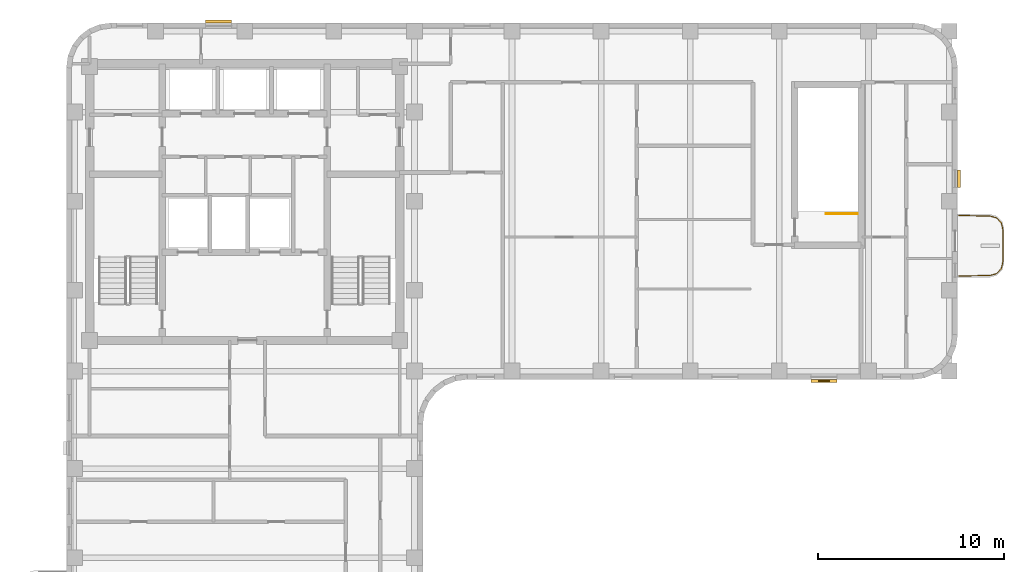
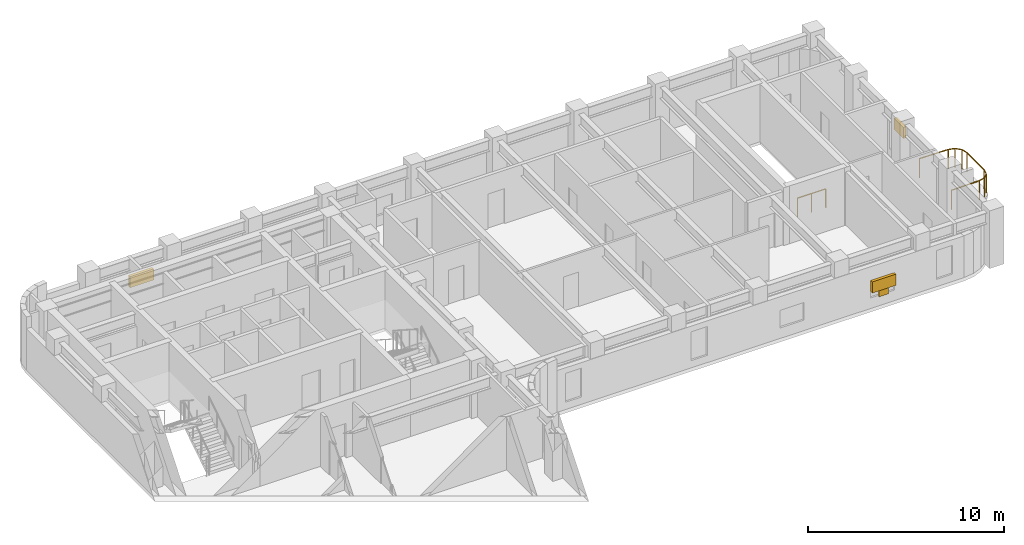
# One storey, part 8 of 8: 4 shading devices, 2 railings.
"""IFC4 building model written with IfcOpenShell, lengths in metres."""

from ifc_helpers import new_model, si_unit, direction, frame, origin, origin_2d, place, context, subcontext, project, spatial, rectangle, extrude, material, type_object, element, save


model = new_model("IFC4")

# Units and contexts
model_context = context("Model", 3, precision=1e-05, world=origin(), true_north=direction((0.0, 1.0)))
body_context = subcontext(model_context, "Body", "Model", "MODEL_VIEW")
ifc_project = project(units=[si_unit("LENGTHUNIT", "METRE"), si_unit("AREAUNIT", "SQUARE_METRE"), si_unit("VOLUMEUNIT", "CUBIC_METRE"), si_unit("PLANEANGLEUNIT", "RADIAN"), si_unit("MASSUNIT", "GRAM", prefix="KILO")], contexts=[model_context])

# Site, building, storey
site_placement = place(None, origin())
site = spatial("IfcSite", under=ifc_project, at=site_placement, CompositionType="ELEMENT")
building_placement = place(site_placement, origin())
building = spatial("IfcBuilding", under=site, at=building_placement, Name="Orvandelia Arch Residences", CompositionType="ELEMENT")
storey_placement = place(building_placement, frame((0.0, 0.0, 236.199951171875)))
storey = spatial("IfcBuildingStorey", under=building, at=storey_placement, Name="L62", CompositionType="ELEMENT", Elevation=236.199951171875)

# Railings
ifc_material_1 = material(Name="Marine-Grade Stainless Steel 316", Category="steel")
railing_type_1 = type_object("IfcRailingType", Name="GRD-BAL-1200", PredefinedType="BALUSTRADE", material=ifc_material_1)
railing_1_placement = place(storey_placement, frame((52.871826171875, 34.36962890625, 0.0)))
element("IfcRailing", 1, at=railing_1_placement, inside=storey, type_object=railing_type_1, Name="Safety Balustrade Guard GRD-L62-BAL-L62-E1-1", PredefinedType="BALUSTRADE", context=body_context, shape_type="SweptSolid", body=[
    extrude(rectangle(XDim=0.048095703125, YDim=0.048095703125, at=origin_2d()), frame((0.0, 0.0, 1.19580078125), z_axis=(0.999837384468, 0.018033430643, 0.0), x_axis=(-0.018033430643, 0.999837384468, 0.0)), (0.0, 0.0, 1.0), 1.6787109375),
    extrude(rectangle(XDim=0.048095703125, YDim=0.048095703125, at=origin_2d()), frame((1.678466796875, 0.0302734375, 1.19580078125), z_axis=(0.96348920644, 0.267747173792, 0.0), x_axis=(-0.267747173792, 0.96348920644, 0.0)), (0.0, 0.0, 1.0), 0.36572265625),
    extrude(rectangle(XDim=0.048095703125, YDim=0.048095703125, at=origin_2d()), frame((2.03076171875, 0.128173828125, 1.19580078125), z_axis=(0.687947031175, 0.725760898848, 0.0), x_axis=(-0.725760898848, 0.687947031175, 0.0)), (0.0, 0.0, 1.0), 0.367919921875),
    extrude(rectangle(XDim=0.048095703125, YDim=0.048095703125, at=origin_2d()), frame((2.283935546875, 0.395263671875, 1.19580078125), z_axis=(0.221225034864, 0.975222786828, 0.0), x_axis=(-0.975222786828, 0.221225034864, 0.0)), (0.0, 0.0, 1.0), 0.373046875),
    extrude(rectangle(XDim=0.048095703125, YDim=0.048095703125, at=origin_2d()), frame((2.366455078125, 0.759033203125, 1.19580078125), z_axis=(0.0, 1.0, 0.0), x_axis=(-1.0, 0.0, 0.0)), (0.0, 0.0, 1.0), 1.74267578125),
    extrude(rectangle(XDim=0.048095703125, YDim=0.048095703125, at=origin_2d()), frame((2.366455078125, 2.501708984375, 1.19580078125), z_axis=(-0.221225034864, 0.975222786828, 0.0), x_axis=(-0.975222786828, -0.221225034864, 0.0)), (0.0, 0.0, 1.0), 0.373046875),
    extrude(rectangle(XDim=0.048095703125, YDim=0.048095703125, at=origin_2d()), frame((2.283935546875, 2.865478515625, 1.19580078125), z_axis=(-0.687947031175, 0.725760898848, 0.0), x_axis=(-0.725760898848, -0.687947031175, 0.0)), (0.0, 0.0, 1.0), 0.367919921875),
    extrude(rectangle(XDim=0.048095703125, YDim=0.048095703125, at=origin_2d()), frame((2.03076171875, 3.132568359375, 1.19580078125), z_axis=(-0.96348920644, 0.267747173792, 0.0), x_axis=(-0.267747173792, -0.96348920644, 0.0)), (0.0, 0.0, 1.0), 0.36572265625),
    extrude(rectangle(XDim=0.048095703125, YDim=0.048095703125, at=origin_2d()), frame((1.678466796875, 3.23046875, 1.19580078125), z_axis=(-0.999837384468, 0.018033430643, 0.0), x_axis=(-0.018033430643, -0.999837384468, 0.0)), (0.0, 0.0, 1.0), 1.6787109375),
    extrude(rectangle(XDim=0.0419921875, YDim=0.0419921875, at=origin_2d()), origin(), (0.0, 0.0, 1.0), 1.171875),
    extrude(rectangle(XDim=0.0419921875, YDim=0.0419921875, at=origin_2d()), frame((1.678466796875, 0.0302734375, 0.0)), (0.0, 0.0, 1.0), 1.171875),
    extrude(rectangle(XDim=0.0419921875, YDim=0.0419921875, at=origin_2d()), frame((2.03076171875, 0.128173828125, 0.0)), (0.0, 0.0, 1.0), 1.171875),
    extrude(rectangle(XDim=0.0419921875, YDim=0.0419921875, at=origin_2d()), frame((2.283935546875, 0.395263671875, 0.0)), (0.0, 0.0, 1.0), 1.171875),
    extrude(rectangle(XDim=0.0419921875, YDim=0.0419921875, at=origin_2d()), frame((2.366455078125, 0.759033203125, 0.0)), (0.0, 0.0, 1.0), 1.171875),
    extrude(rectangle(XDim=0.0419921875, YDim=0.0419921875, at=origin_2d()), frame((2.366455078125, 2.501708984375, 0.0)), (0.0, 0.0, 1.0), 1.171875),
    extrude(rectangle(XDim=0.0419921875, YDim=0.0419921875, at=origin_2d()), frame((2.283935546875, 2.865478515625, 0.0)), (0.0, 0.0, 1.0), 1.171875),
    extrude(rectangle(XDim=0.0419921875, YDim=0.0419921875, at=origin_2d()), frame((2.03076171875, 3.132568359375, 0.0)), (0.0, 0.0, 1.0), 1.171875),
    extrude(rectangle(XDim=0.0419921875, YDim=0.0419921875, at=origin_2d()), frame((1.678466796875, 3.23046875, 0.0)), (0.0, 0.0, 1.0), 1.171875),
    extrude(rectangle(XDim=0.0419921875, YDim=0.0419921875, at=origin_2d()), frame((0.0, 3.2607421875, 0.0)), (0.0, 0.0, 1.0), 1.171875),
])
ifc_material_2 = material(Name="Brushed Stainless Steel 304", Category="steel")
railing_type_2 = type_object("IfcRailingType", Name="RL-STAIR-GD1120", PredefinedType="GUARDRAIL", material=ifc_material_2)
railing_2_placement = place(storey_placement, frame((47.39990234375, 37.719970703125, 0.0)))
element("IfcRailing", 2, at=railing_2_placement, inside=storey, type_object=railing_type_2, Name="L62 ST-3 top well guard 1", PredefinedType="GUARDRAIL", context=body_context, shape_type="SweptSolid", body=[
    extrude(rectangle(XDim=0.048095703125, YDim=0.048095703125, at=origin_2d()), frame((0.0, 0.0, 1.17578125), z_axis=(-1.0, 0.0, 0.0), x_axis=(0.0, -1.0, 0.0)), (0.0, 0.0, 1.0), 1.669921875),
    extrude(rectangle(XDim=0.0419921875, YDim=0.0419921875, at=origin_2d()), origin(), (0.0, 0.0, 1.0), 1.15185546875),
    extrude(rectangle(XDim=0.0419921875, YDim=0.0419921875, at=origin_2d()), frame((-0.8349609375, 0.0, 0.0)), (0.0, 0.0, 1.0), 1.15185546875),
    extrude(rectangle(XDim=0.0419921875, YDim=0.0419921875, at=origin_2d()), frame((-1.669921875, 0.0, 0.0)), (0.0, 0.0, 1.0), 1.15185546875),
])

# Shading devices
ifc_material_3 = material(Name="Anodised Champagne-Bronze Extruded Aluminium", Category="aluminium")
shading_device_type_1 = type_object("IfcShadingDeviceType", Name="SHD-JALOUSIE-SCREEN", PredefinedType="JALOUSIE", material=ifc_material_3)
shading_device_1_placement = place(storey_placement, frame((13.00244140625, 48.080078125, 1.05029296875), z_axis=(0.0, 0.0, 1.0), x_axis=(1.0, 0.0, 0.0)))
element("IfcShadingDevice", 3, at=shading_device_1_placement, inside=storey, type_object=shading_device_type_1, Name="Bronze Jalousie Sun-Shade L62-001", PredefinedType="JALOUSIE", context=body_context, shape_type="SweptSolid", body=[
    extrude(rectangle(XDim=1.39990234375, YDim=0.159912109375, at=origin_2d()), origin(), (0.0, 0.0, 1.0), 0.699951171875),
])
shading_device_2_placement = place(storey_placement, frame((52.8798828125, 39.614013671875, 1.55029296875), z_axis=(0.0, 0.0, 1.0), x_axis=(0.0, -1.0, 0.0)))
element("IfcShadingDevice", 4, at=shading_device_2_placement, inside=storey, type_object=shading_device_type_1, Name="Bronze Jalousie Sun-Shade L62-002", PredefinedType="JALOUSIE", context=body_context, shape_type="SweptSolid", body=[
    extrude(rectangle(XDim=0.949951171875, YDim=0.159912109375, at=origin_2d()), origin(), (0.0, 0.0, 1.0), 0.699951171875),
])
shading_device_3_placement = place(storey_placement, frame((45.60009765625, 28.719970703125, 1.05029296875), z_axis=(0.0, 0.0, 1.0), x_axis=(-1.0, 0.0, 0.0)))
element("IfcShadingDevice", 5, at=shading_device_3_placement, inside=storey, type_object=shading_device_type_1, Name="Bronze Jalousie Sun-Shade L62-003", PredefinedType="JALOUSIE", context=body_context, shape_type="SweptSolid", body=[
    extrude(rectangle(XDim=1.39990234375, YDim=0.159912109375, at=origin_2d()), origin(), (0.0, 0.0, 1.0), 0.699951171875),
])
ifc_material_4 = material(Name="Marine-Grade Perforated Aluminium Storm Shutter", Category="aluminium")
shading_device_type_2 = type_object("IfcShadingDeviceType", Name="SHD-STORM-SHUTTER", PredefinedType="SHUTTER", material=ifc_material_4)
shading_device_4_placement = place(storey_placement, frame((45.60009765625, 28.719970703125, 0.64990234375), z_axis=(0.0, 0.0, 1.0), x_axis=(-1.0, 0.0, 0.0)))
element("IfcShadingDevice", 6, at=shading_device_4_placement, inside=storey, type_object=shading_device_type_2, Name="Operable Typhoon Storm Shutter L62-003", PredefinedType="SHUTTER", context=body_context, shape_type="SweptSolid", body=[
    extrude(rectangle(XDim=0.550048828125, YDim=0.080078125, at=origin_2d()), origin(), (0.0, 0.0, 1.0), 1.10009765625),
])

save(model, "model.ifc")
